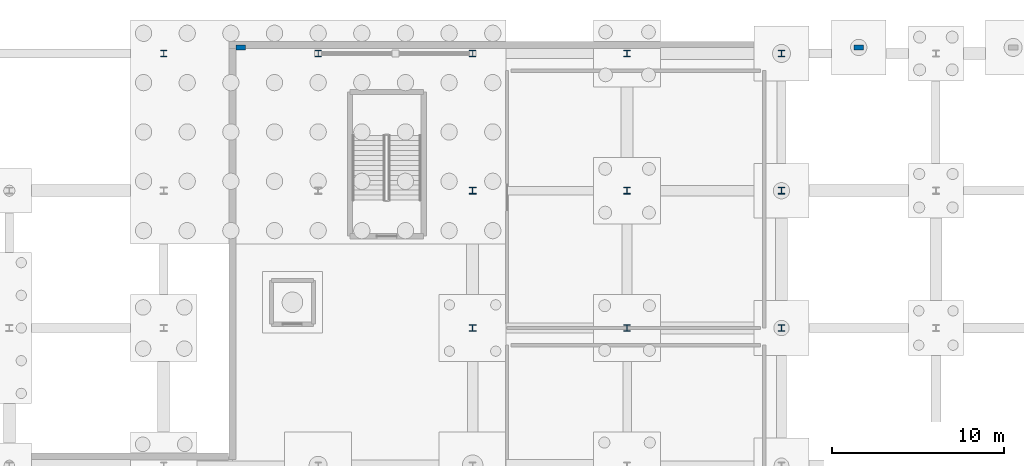
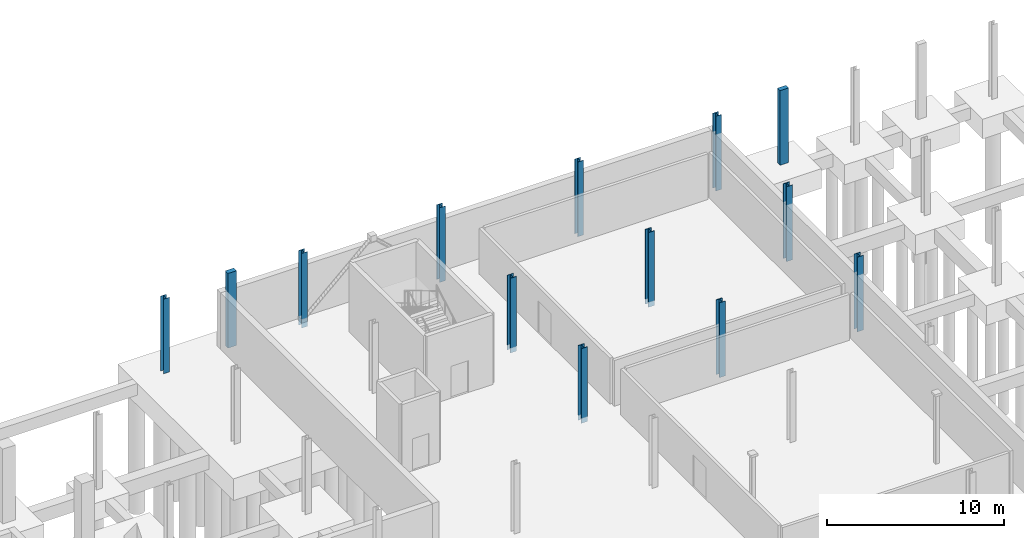
# One storey, part 21 of 37: 13 columns.
"""IFC4 building model written with IfcOpenShell, lengths in metres."""

from ifc_helpers import new_model, si_unit, direction, frame, origin, origin_2d, place, context, subcontext, project, spatial, rectangle, i_section, extrude, material, material_profile, profile_set, type_object, element, save


model = new_model("IFC4")

# Units and contexts
model_context = context("Model", 3, precision=1e-05, world=origin(), true_north=direction((0.0, 1.0)))
body_context = subcontext(model_context, "Body", "Model", "MODEL_VIEW")
ifc_project = project(units=[si_unit("LENGTHUNIT", "METRE"), si_unit("AREAUNIT", "SQUARE_METRE"), si_unit("VOLUMEUNIT", "CUBIC_METRE"), si_unit("PLANEANGLEUNIT", "RADIAN"), si_unit("MASSUNIT", "GRAM", prefix="KILO"), si_unit("THERMODYNAMICTEMPERATUREUNIT", "KELVIN"), si_unit("POWERUNIT", "WATT")], contexts=[model_context])

# Site, building, storey
site_placement = place(None, origin())
site = spatial("IfcSite", under=ifc_project, at=site_placement, CompositionType="ELEMENT")
building_placement = place(site_placement, origin())
building = spatial("IfcBuilding", under=site, at=building_placement, Name="Zelmaris Science Centre", CompositionType="ELEMENT")
storey_placement = place(building_placement, frame((0.0, 0.0, -4.800048828125)))
storey = spatial("IfcBuildingStorey", under=building, at=storey_placement, Name="B1", CompositionType="ELEMENT", Elevation=-4.800048828125)

# Columns
ifc_material_1 = material(Name="Steel ASTM A992 Grade 50", Category="steel")
ifc_material_profile_1 = material_profile(ifc_material_1, i_section(OverallWidth=0.39892578125, OverallDepth=0.385986328125, WebThickness=0.02099609375, FlangeThickness=0.033203125, FilletRadius=0.014892578125, at=origin_2d()), Name="W14X176")
ifc_profile_set_1 = profile_set([ifc_material_profile_1], Name="Steel ASTM A992 Grade 50")
column_type_1 = type_object("IfcColumnType", Name="Column C-04 W14X176", PredefinedType="COLUMN", material=ifc_profile_set_1)
for number, where, z_axis, x_axis, name in (
    (1, (72.0, 72.0, -0.349853515625), (0.0, 0.0, 1.0), (1.0, 0.0, 0.0), "Column V5-C-72-72 B1"),
    (2, (72.0, 80.0, -0.349853515625), (0.0, 0.0, 1.0), (1.0, 0.0, 0.0), "Column V5-C-72-80 B1"),
    (3, (81.0, 72.0, -0.349853515625), (0.0, 0.0, 1.0), (1.0, 0.0, 0.0), "Column V5-C-81-72 B1"),
    (4, (81.0, 80.0, -0.349853515625), (0.0, 0.0, 1.0), (1.0, 0.0, 0.0), "Column V5-C-81-80 B1"),
    (5, (90.0, 72.0, -0.349853515625), (0.0, 0.0, 1.0), (1.0, 0.0, 0.0), "Column V5-C-90-72 B1"),
    (6, (90.0, 80.0, -0.349853515625), (0.0, 0.0, 1.0), (1.0, 0.0, 0.0), "Column V5-C-90-80 B1"),
):
    element("IfcColumn", number, at=place(storey_placement, frame(where, z_axis=z_axis, x_axis=x_axis)), inside=storey, type_object=column_type_1, Name=name, PredefinedType="COLUMN", context=body_context, shape_type="SweptSolid", body=[
        extrude(i_section(OverallWidth=0.39892578125, OverallDepth=0.385986328125, WebThickness=0.02099609375, FlangeThickness=0.033203125, FilletRadius=0.014892578125, at=origin_2d()), origin(), (0.0, 0.0, 1.0), 5.14990234375),
    ])
ifc_material_profile_2 = material_profile(ifc_material_1, i_section(OverallWidth=0.367919921875, OverallDepth=0.35595703125, WebThickness=0.01123046875, FlangeThickness=0.01806640625, FilletRadius=0.014892578125, at=origin_2d()), Name="W14X90")
ifc_profile_set_2 = profile_set([ifc_material_profile_2], Name="Steel ASTM A992 Grade 50")
column_type_2 = type_object("IfcColumnType", Name="Column C-07 W14X90", PredefinedType="COLUMN", material=ifc_profile_set_2)
for number, where, z_axis, x_axis, name in (
    (7, (54.0, 88.0, -0.349853515625), (0.0, 0.0, 1.0), (1.0, 0.0, 0.0), "Column V5-C-54-88 B1"),
    (8, (63.0, 88.0, -0.349853515625), (0.0, 0.0, 1.0), (1.0, 0.0, 0.0), "Column V5-C-63-88 B1"),
    (9, (72.0, 88.0, -0.349853515625), (0.0, 0.0, 1.0), (1.0, 0.0, 0.0), "Column V5-C-72-88 B1"),
    (10, (81.0, 88.0, -0.349853515625), (0.0, 0.0, 1.0), (1.0, 0.0, 0.0), "Column V5-C-81-88 B1"),
    (11, (90.0, 88.0, -0.349853515625), (0.0, 0.0, 1.0), (1.0, 0.0, 0.0), "Column V5-C-90-88 B1"),
):
    element("IfcColumn", number, at=place(storey_placement, frame(where, z_axis=z_axis, x_axis=x_axis)), inside=storey, type_object=column_type_2, Name=name, PredefinedType="COLUMN", context=body_context, shape_type="SweptSolid", body=[
        extrude(i_section(OverallWidth=0.367919921875, OverallDepth=0.35595703125, WebThickness=0.01123046875, FlangeThickness=0.01806640625, FilletRadius=0.014892578125, at=origin_2d()), origin(), (0.0, 0.0, 1.0), 5.14990234375),
    ])
ifc_material_2 = material(Name="Yucatan limestone ashlar masonry", Category="masonry")
ifc_material_profile_3 = material_profile(ifc_material_2, rectangle(XDim=0.550048828125, YDim=0.300048828125, at=origin_2d()), Name="PIL-LIM-550X300")
ifc_profile_set_3 = profile_set([ifc_material_profile_3], Name="Yucatan limestone ashlar masonry")
column_type_3 = type_object("IfcColumnType", Name="Pilaster PL-03 PIL-LIM-550X300", PredefinedType="PILASTER", material=ifc_profile_set_3)
for number, where, z_axis, x_axis, name in (
    (12, (58.5, 88.35009765625, -0.349853515625), (0.0, 0.0, 1.0), (1.0, 0.0, 0.0), "Limestone pilaster PIL-V5N-1 B1"),
    (13, (94.5, 88.35009765625, -0.349853515625), (0.0, 0.0, 1.0), (1.0, 0.0, 0.0), "Limestone pilaster PIL-V5N-2 B1"),
):
    element("IfcColumn", number, at=place(storey_placement, frame(where, z_axis=z_axis, x_axis=x_axis)), inside=storey, type_object=column_type_3, Name=name, PredefinedType="PILASTER", context=body_context, shape_type="SweptSolid", body=[
        extrude(rectangle(XDim=0.550048828125, YDim=0.300048828125, at=origin_2d()), origin(), (0.0, 0.0, 1.0), 5.14990234375),
    ])

save(model, "model.ifc")
